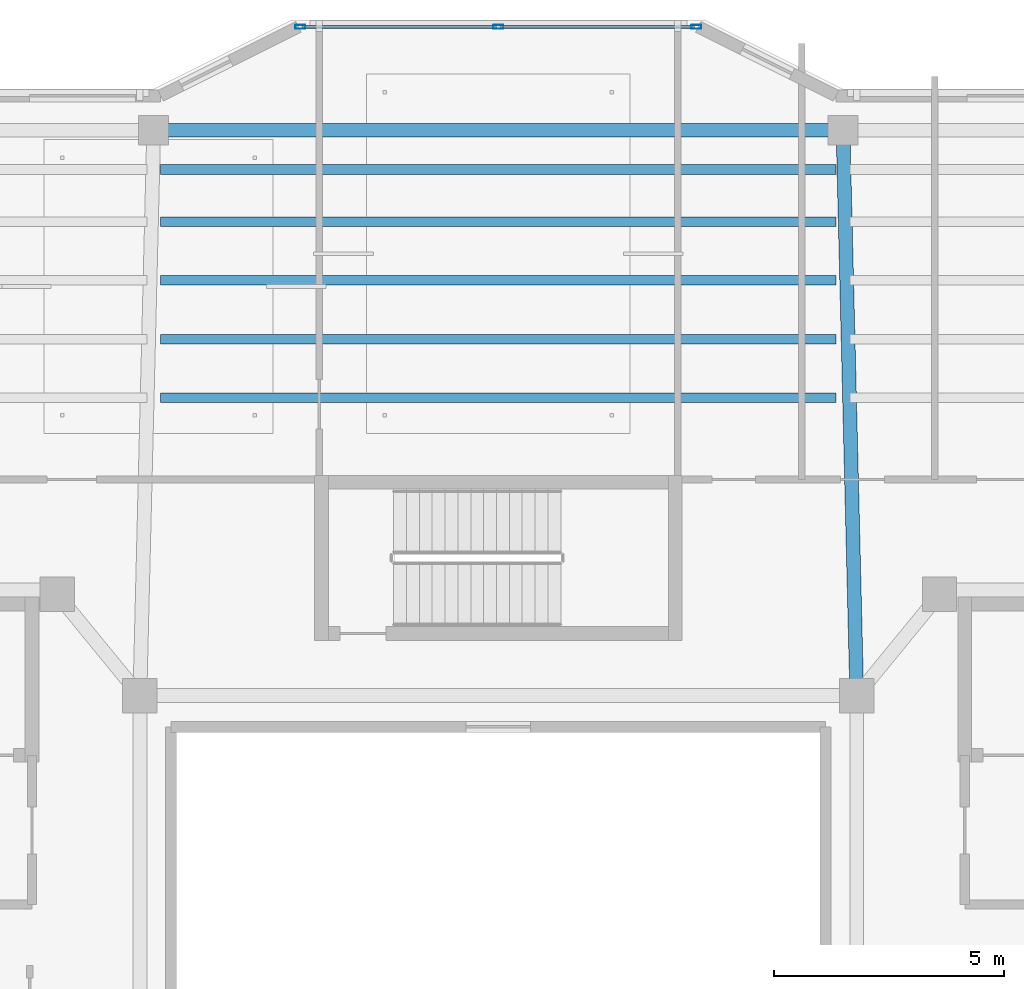
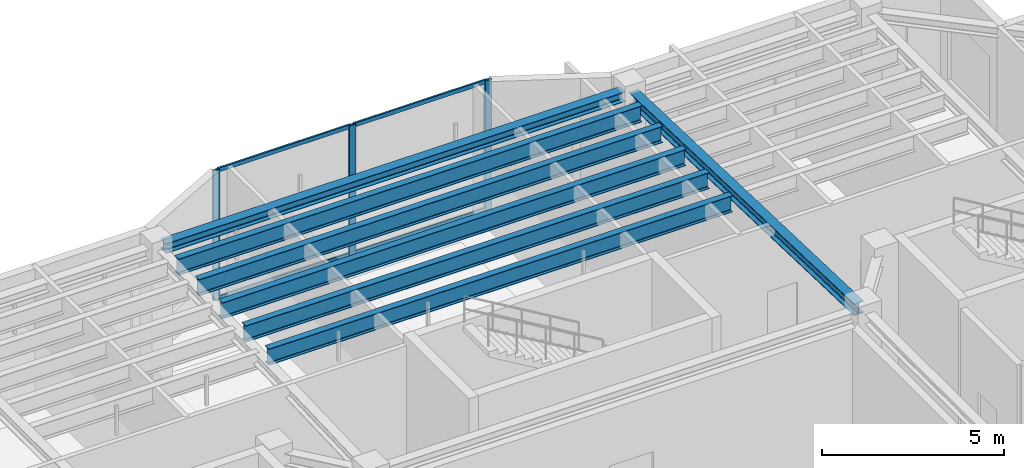
# One storey, part 11 of 25: 7 beams, 7 members, 1 element without a shape of its own.
"""IFC4 building model written with IfcOpenShell, lengths in metres."""

from ifc_helpers import new_model, si_unit, direction, frame, origin, origin_2d, place, context, subcontext, project, spatial, hollow_rectangle, i_section, extrude, material, layer, layer_set, material_profile, profile_set, type_object, element, aggregate, save


model = new_model("IFC4")

# Units and contexts
model_context = context("Model", 3, precision=1e-05, world=origin(), true_north=direction((0.0, 1.0)))
body_context = subcontext(model_context, "Body", "Model", "MODEL_VIEW")
ifc_project = project(units=[si_unit("LENGTHUNIT", "METRE"), si_unit("AREAUNIT", "SQUARE_METRE"), si_unit("VOLUMEUNIT", "CUBIC_METRE"), si_unit("PLANEANGLEUNIT", "RADIAN"), si_unit("MASSUNIT", "GRAM", prefix="KILO")], contexts=[model_context])

# Site, building, storey
site_placement = place(None, origin())
site = spatial("IfcSite", under=ifc_project, at=site_placement, CompositionType="ELEMENT")
building_placement = place(site_placement, origin())
building = spatial("IfcBuilding", under=site, at=building_placement, Name="Tarnavaz Court Tower", CompositionType="ELEMENT")
storey_placement = place(building_placement, frame((0.0, 0.0, 271.64990234375)))
storey = spatial("IfcBuildingStorey", under=building, at=storey_placement, Name="L74", CompositionType="ELEMENT", Elevation=271.64990234375)

# Beams
ifc_material_1 = material(Name="Steel S355", Category="steel")
ifc_material_profile_1 = material_profile(ifc_material_1, i_section(OverallWidth=0.300048828125, OverallDepth=0.39990234375, WebThickness=0.013427734375, FlangeThickness=0.02392578125, FilletRadius=0.027099609375, at=origin_2d()), Name="HEB 400")
ifc_profile_set_1 = profile_set([ifc_material_profile_1], Name="Steel S355")
beam_type_1 = type_object("IfcBeamType", Name="BM-G-HEB400", PredefinedType="USERDEFINED", material=ifc_profile_set_1)
beam_1_placement = place(storey_placement, frame((7.794677734375, 8.02001953125, 4.150146484375), z_axis=(-0.024386002211, 0.99970261723, 0.0), x_axis=(-0.99970261723, -0.024386002211, 0.0)))
element("IfcBeam", 1, at=beam_1_placement, inside=storey, type_object=beam_type_1, Name="L74 Beam RG-03", ObjectType="GIRDER", PredefinedType="USERDEFINED", context=body_context, shape_type="SweptSolid", body=[
    extrude(i_section(OverallWidth=0.300048828125, OverallDepth=0.39990234375, WebThickness=0.013427734375, FlangeThickness=0.02392578125, FilletRadius=0.027099609375, at=origin_2d()), origin(), (0.0, 0.0, 1.0), 11.863525390625),
])
ifc_material_profile_2 = material_profile(ifc_material_1, i_section(OverallWidth=0.2099609375, OverallDepth=0.550048828125, WebThickness=0.010986328125, FlangeThickness=0.01708984375, FilletRadius=0.02392578125, at=origin_2d()), Name="IPE 550")
ifc_profile_set_2 = profile_set([ifc_material_profile_2], Name="Steel S355")
beam_type_2 = type_object("IfcBeamType", Name="BM-J-IPE550", PredefinedType="JOIST", material=ifc_profile_set_2)
for number, where, z_axis, x_axis, name in (
    (2, (-7.35009765625, 14.278076171875, 4.0751953125), (1.0, 0.0, 0.0), (0.0, 1.0, 0.0), "L74 Beam JN1-2"),
    (3, (-7.35009765625, 15.555908203125, 4.0751953125), (1.0, 0.0, 0.0), (0.0, 1.0, 0.0), "L74 Beam JN2-2"),
    (4, (-7.35009765625, 16.833984375, 4.0751953125), (1.0, 0.0, 0.0), (0.0, 1.0, 0.0), "L74 Beam JN3-2"),
    (5, (-7.35009765625, 18.112060546875, 4.0751953125), (1.0, 0.0, 0.0), (0.0, 1.0, 0.0), "L74 Beam JN4-2"),
    (6, (-7.35009765625, 19.248046875, 4.0751953125), (1.0, 0.0, 0.0), (0.0, 1.0, 0.0), "L74 Beam JN5-2"),
):
    element("IfcBeam", number, at=place(storey_placement, frame(where, z_axis=z_axis, x_axis=x_axis)), inside=storey, type_object=beam_type_2, Name=name, PredefinedType="JOIST", context=body_context, shape_type="SweptSolid", body=[
        extrude(i_section(OverallWidth=0.2099609375, OverallDepth=0.550048828125, WebThickness=0.010986328125, FlangeThickness=0.01708984375, FilletRadius=0.02392578125, at=origin_2d()), origin(), (0.0, 0.0, 1.0), 14.7001953125),
    ])
ifc_material_profile_3 = material_profile(ifc_material_1, i_section(OverallWidth=0.300048828125, OverallDepth=0.330078125, WebThickness=0.009521484375, FlangeThickness=0.0166015625, FilletRadius=0.027099609375, at=origin_2d()), Name="HEA 340")
ifc_profile_set_3 = profile_set([ifc_material_profile_3], Name="Steel S355")
beam_type_3 = type_object("IfcBeamType", Name="BM-SP-HEA340", PredefinedType="BEAM", material=ifc_profile_set_3)
beam_2_placement = place(storey_placement, frame((-7.280029296875, 20.10009765625, 4.18505859375), z_axis=(1.0, 0.0, 0.0), x_axis=(0.0, 1.0, 0.0)))
element("IfcBeam", 7, at=beam_2_placement, inside=storey, type_object=beam_type_3, Name="L74 Beam PR-PN-2-PN-3", PredefinedType="BEAM", context=body_context, shape_type="SweptSolid", body=[
    extrude(i_section(OverallWidth=0.300048828125, OverallDepth=0.330078125, WebThickness=0.009521484375, FlangeThickness=0.0166015625, FilletRadius=0.027099609375, at=origin_2d()), origin(), (0.0, 0.0, 1.0), 14.56005859375),
])

# Curtain wall, members
ifc_material_2 = material(Name="Anodised Aluminium 6063-T6 and Solar Low-E Glazing", Category="aluminium")
ifc_layer = layer(ifc_material_2, 0.2099609375)
ifc_layer_set = layer_set([ifc_layer], Name="Anodised Aluminium 6063-T6 and Solar Low-E Glazing")
curtain_wall_type = type_object("IfcCurtainWallType", Name="CW-SYS-06", PredefinedType="NOTDEFINED", material=ifc_layer_set)
curtain_wall_placement = place(storey_placement, origin())
curtain_wall = element("IfcCurtainWall", 8, at=curtain_wall_placement, inside=storey, type_object=curtain_wall_type, Name="L74 Observation Curtain Wall 7", PredefinedType="NOTDEFINED")
ifc_material_3 = material(Name="Anodised Aluminium 6063-T6", Category="aluminium")
ifc_material_profile_4 = material_profile(ifc_material_3, hollow_rectangle(XDim=0.0849609375, YDim=0.219970703125, WallThickness=0.006103515625, InnerFilletRadius=0.006103515625, OuterFilletRadius=0.011962890625, at=origin_2d()), Name="ALU RHS 220X85X6")
ifc_profile_set_4 = profile_set([ifc_material_profile_4], Name="Anodised Aluminium 6063-T6")
member_type_1 = type_object("IfcMemberType", Name="CW-MUL-220", PredefinedType="MULLION", material=ifc_profile_set_4)
member_1_placement = place(storey_placement, frame((-4.3076171875, 22.35009765625, 0.0), z_axis=(0.0, 0.0, 1.0), x_axis=(0.0, 1.0, 0.0)))
member_1 = element("IfcMember", 9, at=member_1_placement, type_object=member_type_1, Name="CW mullion 1", PredefinedType="MULLION", context=body_context, shape_type="SweptSolid", body=[
    extrude(hollow_rectangle(XDim=0.0849609375, YDim=0.219970703125, WallThickness=0.006103515625, InnerFilletRadius=0.006103515625, OuterFilletRadius=0.011962890625, at=origin_2d()), origin(), (0.0, 0.0, 1.0), 4.35009765625),
])
member_2_placement = place(storey_placement, frame((0.0, 22.35009765625, 0.0), z_axis=(0.0, 0.0, 1.0), x_axis=(0.0, 1.0, 0.0)))
member_2 = element("IfcMember", 10, at=member_2_placement, type_object=member_type_1, Name="CW mullion 2", PredefinedType="MULLION", context=body_context, shape_type="SweptSolid", body=[
    extrude(hollow_rectangle(XDim=0.0849609375, YDim=0.219970703125, WallThickness=0.006103515625, InnerFilletRadius=0.006103515625, OuterFilletRadius=0.011962890625, at=origin_2d()), origin(), (0.0, 0.0, 1.0), 4.35009765625),
])
member_3_placement = place(storey_placement, frame((4.3076171875, 22.35009765625, 0.0), z_axis=(0.0, 0.0, 1.0), x_axis=(0.0, 1.0, 0.0)))
member_3 = element("IfcMember", 11, at=member_3_placement, type_object=member_type_1, Name="CW mullion 3", PredefinedType="MULLION", context=body_context, shape_type="SweptSolid", body=[
    extrude(hollow_rectangle(XDim=0.0849609375, YDim=0.219970703125, WallThickness=0.006103515625, InnerFilletRadius=0.006103515625, OuterFilletRadius=0.011962890625, at=origin_2d()), origin(), (0.0, 0.0, 1.0), 4.35009765625),
])
ifc_material_profile_5 = material_profile(ifc_material_3, hollow_rectangle(XDim=0.06494140625, YDim=0.139892578125, WallThickness=0.00390625, InnerFilletRadius=0.00390625, OuterFilletRadius=0.008056640625, at=origin_2d()), Name="ALU RHS 140X65X4")
ifc_profile_set_5 = profile_set([ifc_material_profile_5], Name="Anodised Aluminium 6063-T6")
member_type_2 = type_object("IfcMemberType", Name="CW-TRN-140", PredefinedType="USERDEFINED", material=ifc_profile_set_5)
member_4_placement = place(storey_placement, frame((-4.264892578125, 22.35009765625, 0.03271484375), z_axis=(1.0, 0.0, 0.0), x_axis=(0.0, 1.0, 0.0)))
member_4 = element("IfcMember", 12, at=member_4_placement, type_object=member_type_2, Name="CW transom 1.1", ObjectType="TRANSOM", PredefinedType="USERDEFINED", context=body_context, shape_type="SweptSolid", body=[
    extrude(hollow_rectangle(XDim=0.06494140625, YDim=0.139892578125, WallThickness=0.00390625, InnerFilletRadius=0.00390625, OuterFilletRadius=0.008056640625, at=origin_2d()), origin(), (0.0, 0.0, 1.0), 4.222412109375),
])
member_5_placement = place(storey_placement, frame((-4.264892578125, 22.35009765625, 4.317626953125), z_axis=(1.0, 0.0, 0.0), x_axis=(0.0, 1.0, 0.0)))
member_5 = element("IfcMember", 13, at=member_5_placement, type_object=member_type_2, Name="CW transom 1.2", ObjectType="TRANSOM", PredefinedType="USERDEFINED", context=body_context, shape_type="SweptSolid", body=[
    extrude(hollow_rectangle(XDim=0.06494140625, YDim=0.139892578125, WallThickness=0.00390625, InnerFilletRadius=0.00390625, OuterFilletRadius=0.008056640625, at=origin_2d()), origin(), (0.0, 0.0, 1.0), 4.222412109375),
])
member_6_placement = place(storey_placement, frame((0.04248046875, 22.35009765625, 0.03271484375), z_axis=(1.0, 0.0, 0.0), x_axis=(0.0, 1.0, 0.0)))
member_6 = element("IfcMember", 14, at=member_6_placement, type_object=member_type_2, Name="CW transom 2.1", ObjectType="TRANSOM", PredefinedType="USERDEFINED", context=body_context, shape_type="SweptSolid", body=[
    extrude(hollow_rectangle(XDim=0.06494140625, YDim=0.139892578125, WallThickness=0.00390625, InnerFilletRadius=0.00390625, OuterFilletRadius=0.008056640625, at=origin_2d()), origin(), (0.0, 0.0, 1.0), 4.222412109375),
])
member_7_placement = place(storey_placement, frame((0.04248046875, 22.35009765625, 4.317626953125), z_axis=(1.0, 0.0, 0.0), x_axis=(0.0, 1.0, 0.0)))
member_7 = element("IfcMember", 15, at=member_7_placement, type_object=member_type_2, Name="CW transom 2.2", ObjectType="TRANSOM", PredefinedType="USERDEFINED", context=body_context, shape_type="SweptSolid", body=[
    extrude(hollow_rectangle(XDim=0.06494140625, YDim=0.139892578125, WallThickness=0.00390625, InnerFilletRadius=0.00390625, OuterFilletRadius=0.008056640625, at=origin_2d()), origin(), (0.0, 0.0, 1.0), 4.222412109375),
])
aggregate(curtain_wall, [member_1, member_2, member_3, member_4, member_5, member_6, member_7])

save(model, "model.ifc")
